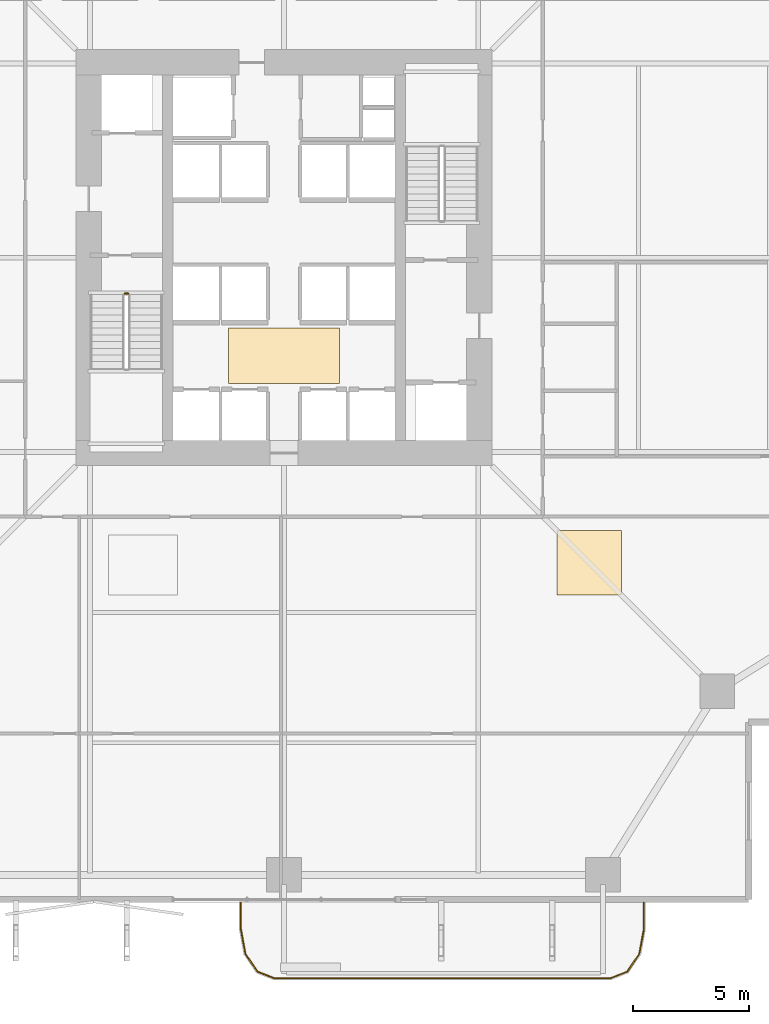
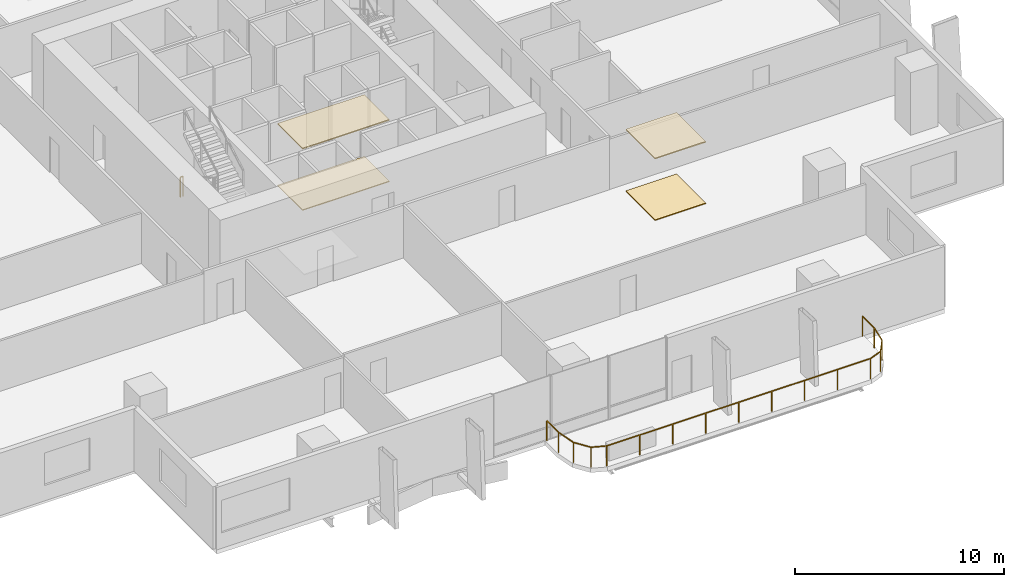
# One storey, part 22 of 24: 4 coverings, 2 railings.
"""IFC4 building model written with IfcOpenShell, lengths in metres."""

from ifc_helpers import new_model, si_unit, direction, frame, origin, origin_2d, place, context, subcontext, project, spatial, polyline, rectangle, outline, extrude, material, layer, layer_set, type_object, element, save


model = new_model("IFC4")

# Units and contexts
model_context = context("Model", 3, precision=1e-05, world=origin(), true_north=direction((0.0, 1.0)))
body_context = subcontext(model_context, "Body", "Model", "MODEL_VIEW")
ifc_project = project(units=[si_unit("LENGTHUNIT", "METRE"), si_unit("AREAUNIT", "SQUARE_METRE"), si_unit("VOLUMEUNIT", "CUBIC_METRE"), si_unit("PLANEANGLEUNIT", "RADIAN"), si_unit("MASSUNIT", "GRAM", prefix="KILO")], contexts=[model_context])

# Site, building, storey
site_placement = place(None, origin())
site = spatial("IfcSite", under=ifc_project, at=site_placement, CompositionType="ELEMENT")
building_placement = place(site_placement, origin())
building = spatial("IfcBuilding", under=site, at=building_placement, Name="Belovzor Exchange Tower", CompositionType="ELEMENT")
storey_placement = place(building_placement, frame((0.0, 0.0, 61.199951171875)))
storey = spatial("IfcBuildingStorey", under=building, at=storey_placement, Name="L14", CompositionType="ELEMENT", Elevation=61.199951171875)

# Railings
ifc_material_1 = material(Name="Stainless Steel and Laminated Safety Glass", Category="steel")
railing_type_1 = type_object("IfcRailingType", Name="Laminated Glass & Stainless Steel Balcony Balustrade 1200", PredefinedType="BALUSTRADE", material=ifc_material_1)
railing_1_placement = place(storey_placement, frame((26.929931640625, 0.889892578125, 0.0)))
element("IfcRailing", 1, at=railing_1_placement, inside=storey, type_object=railing_type_1, Name="GR-1 Balcony Balustrade L14 South", PredefinedType="BALUSTRADE", context=body_context, shape_type="SweptSolid", body=[
    extrude(rectangle(XDim=0.048095703125, YDim=0.048095703125, at=origin_2d()), frame((0.0, 0.0, 1.17578125), z_axis=(0.0, -1.0, 0.0), x_axis=(1.0, 0.0, 0.0)), (0.0, 0.0, 1.0), 1.1328125),
    extrude(rectangle(XDim=0.048095703125, YDim=0.048095703125, at=origin_2d()), frame((0.0, -1.1328125, 1.17578125), z_axis=(0.180083182347, -0.983651385113, 0.0), x_axis=(0.983651385113, 0.180083182347, 0.0)), (0.0, 0.0, 1.0), 1.093994140625),
    extrude(rectangle(XDim=0.048095703125, YDim=0.048095703125, at=origin_2d()), frame((0.197021484375, -2.208984375, 1.17578125), z_axis=(0.56294695933, -0.826493025367, 0.0), x_axis=(0.826493025367, 0.56294695933, 0.0)), (0.0, 0.0, 1.0), 0.932861328125),
    extrude(rectangle(XDim=0.048095703125, YDim=0.048095703125, at=origin_2d()), frame((0.72216796875, -2.97998046875, 1.17578125), z_axis=(0.930766990125, -0.365612923861, 0.0), x_axis=(0.365612923861, 0.930766990125, 0.0)), (0.0, 0.0, 1.0), 0.765869140625),
    extrude(rectangle(XDim=0.048095703125, YDim=0.048095703125, at=origin_2d()), frame((1.43505859375, -3.260009765625, 1.17578125), z_axis=(1.0, 0.0, 0.0), x_axis=(0.0, 1.0, 0.0)), (0.0, 0.0, 1.0), 14.570068359375),
    extrude(rectangle(XDim=0.048095703125, YDim=0.048095703125, at=origin_2d()), frame((16.005126953125, -3.260009765625, 1.17578125), z_axis=(0.930766990125, 0.365612923861, 0.0), x_axis=(-0.365612923861, 0.930766990125, 0.0)), (0.0, 0.0, 1.0), 0.765869140625),
    extrude(rectangle(XDim=0.048095703125, YDim=0.048095703125, at=origin_2d()), frame((16.718017578125, -2.97998046875, 1.17578125), z_axis=(0.56294695933, 0.826493025367, 0.0), x_axis=(-0.826493025367, 0.56294695933, 0.0)), (0.0, 0.0, 1.0), 0.932861328125),
    extrude(rectangle(XDim=0.048095703125, YDim=0.048095703125, at=origin_2d()), frame((17.2431640625, -2.208984375, 1.17578125), z_axis=(0.180083182347, 0.983651385113, 0.0), x_axis=(-0.983651385113, 0.180083182347, 0.0)), (0.0, 0.0, 1.0), 1.093994140625),
    extrude(rectangle(XDim=0.048095703125, YDim=0.048095703125, at=origin_2d()), frame((17.440185546875, -1.1328125, 1.17578125), z_axis=(0.0, 1.0, 0.0), x_axis=(-1.0, 0.0, 0.0)), (0.0, 0.0, 1.0), 1.1328125),
    extrude(rectangle(XDim=0.0419921875, YDim=0.0419921875, at=origin_2d()), origin(), (0.0, 0.0, 1.0), 1.15185546875),
    extrude(rectangle(XDim=0.0419921875, YDim=0.0419921875, at=origin_2d()), frame((0.0, -1.1328125, 0.0)), (0.0, 0.0, 1.0), 1.15185546875),
    extrude(rectangle(XDim=0.0419921875, YDim=0.0419921875, at=origin_2d()), frame((0.197021484375, -2.208984375, 0.0)), (0.0, 0.0, 1.0), 1.15185546875),
    extrude(rectangle(XDim=0.0419921875, YDim=0.0419921875, at=origin_2d()), frame((0.72216796875, -2.97998046875, 0.0)), (0.0, 0.0, 1.0), 1.15185546875),
    extrude(rectangle(XDim=0.0419921875, YDim=0.0419921875, at=origin_2d()), frame((1.43505859375, -3.260009765625, 0.0)), (0.0, 0.0, 1.0), 1.15185546875),
    extrude(rectangle(XDim=0.0419921875, YDim=0.0419921875, at=origin_2d()), frame((3.25634765625, -3.260009765625, 0.0)), (0.0, 0.0, 1.0), 1.15185546875),
    extrude(rectangle(XDim=0.0419921875, YDim=0.0419921875, at=origin_2d()), frame((5.07763671875, -3.260009765625, 0.0)), (0.0, 0.0, 1.0), 1.15185546875),
    extrude(rectangle(XDim=0.0419921875, YDim=0.0419921875, at=origin_2d()), frame((6.89892578125, -3.260009765625, 0.0)), (0.0, 0.0, 1.0), 1.15185546875),
    extrude(rectangle(XDim=0.0419921875, YDim=0.0419921875, at=origin_2d()), frame((8.72021484375, -3.260009765625, 0.0)), (0.0, 0.0, 1.0), 1.15185546875),
    extrude(rectangle(XDim=0.0419921875, YDim=0.0419921875, at=origin_2d()), frame((10.541259765625, -3.260009765625, 0.0)), (0.0, 0.0, 1.0), 1.15185546875),
    extrude(rectangle(XDim=0.0419921875, YDim=0.0419921875, at=origin_2d()), frame((12.362548828125, -3.260009765625, 0.0)), (0.0, 0.0, 1.0), 1.15185546875),
    extrude(rectangle(XDim=0.0419921875, YDim=0.0419921875, at=origin_2d()), frame((14.183837890625, -3.260009765625, 0.0)), (0.0, 0.0, 1.0), 1.15185546875),
    extrude(rectangle(XDim=0.0419921875, YDim=0.0419921875, at=origin_2d()), frame((16.005126953125, -3.260009765625, 0.0)), (0.0, 0.0, 1.0), 1.15185546875),
    extrude(rectangle(XDim=0.0419921875, YDim=0.0419921875, at=origin_2d()), frame((16.718017578125, -2.97998046875, 0.0)), (0.0, 0.0, 1.0), 1.15185546875),
    extrude(rectangle(XDim=0.0419921875, YDim=0.0419921875, at=origin_2d()), frame((17.2431640625, -2.208984375, 0.0)), (0.0, 0.0, 1.0), 1.15185546875),
    extrude(rectangle(XDim=0.0419921875, YDim=0.0419921875, at=origin_2d()), frame((17.440185546875, -1.1328125, 0.0)), (0.0, 0.0, 1.0), 1.15185546875),
    extrude(rectangle(XDim=0.0419921875, YDim=0.0419921875, at=origin_2d()), frame((17.440185546875, 0.0, 0.0)), (0.0, 0.0, 1.0), 1.15185546875),
])
ifc_material_2 = material(Name="Steel S355", Category="steel")
railing_type_2 = type_object("IfcRailingType", Name="Painted Steel Stairwell Guardrail 1200", PredefinedType="GUARDRAIL", material=ifc_material_2)
railing_2_placement = place(storey_placement, frame((21.89990234375, 27.25, 0.0)))
element("IfcRailing", 2, at=railing_2_placement, inside=storey, type_object=railing_type_2, Name="L14 ST-1 stair guard 4", PredefinedType="GUARDRAIL", context=body_context, shape_type="SweptSolid", body=[
    extrude(rectangle(XDim=0.048095703125, YDim=0.048095703125, at=origin_2d()), frame((0.0, 0.0, 1.17578125), z_axis=(1.0, 0.0, 0.0), x_axis=(0.0, 1.0, 0.0)), (0.0, 0.0, 1.0), 0.150146484375),
    extrude(rectangle(XDim=0.0419921875, YDim=0.0419921875, at=origin_2d()), origin(), (0.0, 0.0, 1.0), 1.15185546875),
    extrude(rectangle(XDim=0.0419921875, YDim=0.0419921875, at=origin_2d()), frame((0.150146484375, 0.0, 0.0)), (0.0, 0.0, 1.0), 1.15185546875),
])

# Coverings
ifc_material_3 = material(Name="Perforated Powder-Coated Aluminium", Category="aluminium")
ifc_layer_1 = layer(ifc_material_3, 0.06005859375)
ifc_layer_set_1 = layer_set([ifc_layer_1], Name="Perforated Powder-Coated Aluminium")
covering_type_1 = type_object("IfcCoveringType", Name="Perforated Acoustic Metal Tile Suspended Ceiling 60", PredefinedType="CEILING", material=ifc_layer_set_1)
covering_1_placement = place(storey_placement, frame((0.0, 0.0, 3.590087890625)))
element("IfcCovering", 3, at=covering_1_placement, inside=storey, type_object=covering_type_1, Name="CLG-AC60 Suspended Ceiling CLG-L14-LOB", PredefinedType="CEILING", context=body_context, shape_type="SweptSolid", body=[
    extrude(outline(polyline([(26.39990234375, 23.35009765625), (31.199951171875, 23.35009765625), (31.199951171875, 25.75), (26.39990234375, 25.75), (26.39990234375, 23.35009765625)])), origin(), (0.0, 0.0, 1.0), 0.06005859375),
])
covering_2_placement = place(storey_placement, frame((0.0, 0.0, 3.590087890625)))
element("IfcCovering", 4, at=covering_2_placement, inside=storey, type_object=covering_type_1, Name="CLG-AC60 Suspended Ceiling CLG-L14-Z1", PredefinedType="CEILING", context=body_context, shape_type="SweptSolid", body=[
    extrude(outline(polyline([(40.60009765625, 14.199951171875), (43.39990234375, 14.199951171875), (43.39990234375, 17.0), (40.60009765625, 17.0), (40.60009765625, 14.199951171875)])), origin(), (0.0, 0.0, 1.0), 0.06005859375),
])
ifc_material_4 = material(Name="Polished Natural Granite Tile", Category="masonry")
ifc_layer_2 = layer(ifc_material_4, 0.050048828125)
ifc_layer_set_2 = layer_set([ifc_layer_2], Name="Polished Natural Granite Tile")
covering_type_2 = type_object("IfcCoveringType", Name="Polished Karelian Granite & Raised Access Floor Finish 50", PredefinedType="FLOORING", material=ifc_layer_set_2)
covering_3_placement = place(storey_placement, origin())
element("IfcCovering", 5, at=covering_3_placement, inside=storey, type_object=covering_type_2, Name="FLR-GR50 Floor Finish FLR-L14-LOB", PredefinedType="FLOORING", context=body_context, shape_type="SweptSolid", body=[
    extrude(outline(polyline([(26.39990234375, 23.35009765625), (31.199951171875, 23.35009765625), (31.199951171875, 25.75), (26.39990234375, 25.75), (26.39990234375, 23.35009765625)])), origin(), (0.0, 0.0, 1.0), 0.050048828125),
])
covering_4_placement = place(storey_placement, origin())
element("IfcCovering", 6, at=covering_4_placement, inside=storey, type_object=covering_type_2, Name="FLR-GR50 Floor Finish FLR-L14-Z1", PredefinedType="FLOORING", context=body_context, shape_type="SweptSolid", body=[
    extrude(outline(polyline([(40.60009765625, 14.199951171875), (43.39990234375, 14.199951171875), (43.39990234375, 17.0), (40.60009765625, 17.0), (40.60009765625, 14.199951171875)])), origin(), (0.0, 0.0, 1.0), 0.050048828125),
])

save(model, "model.ifc")
